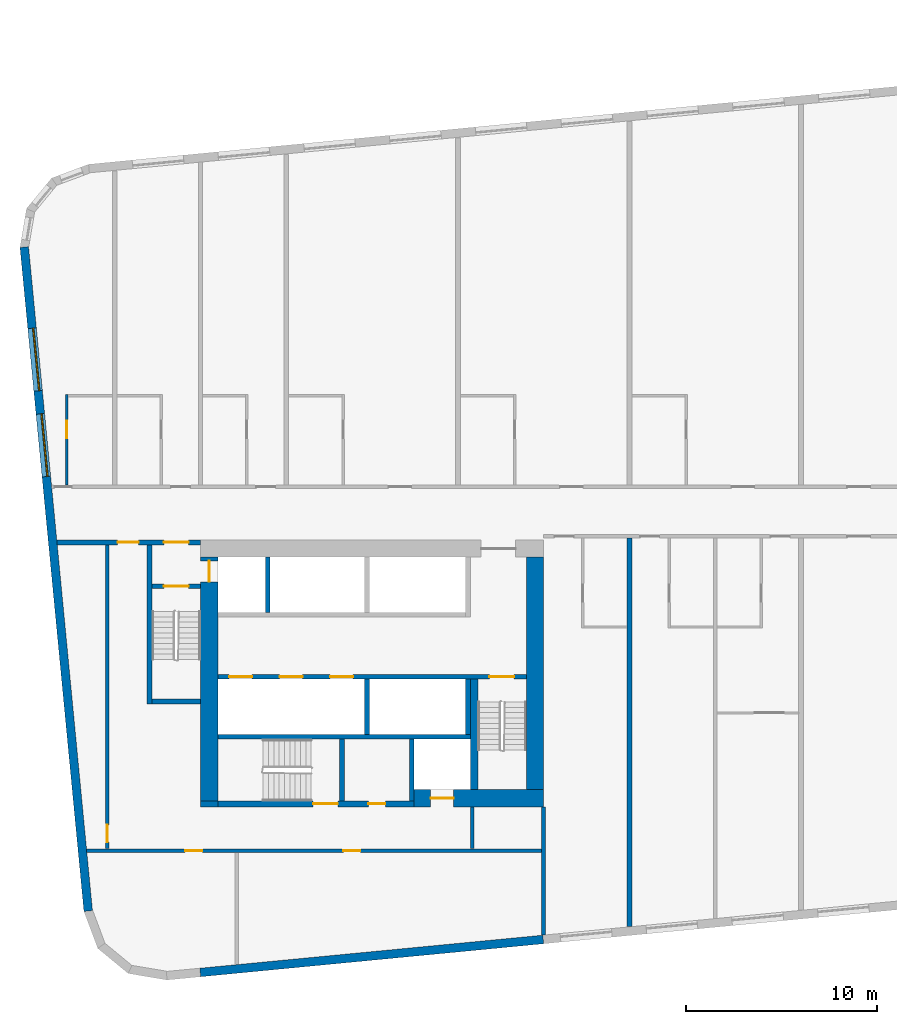
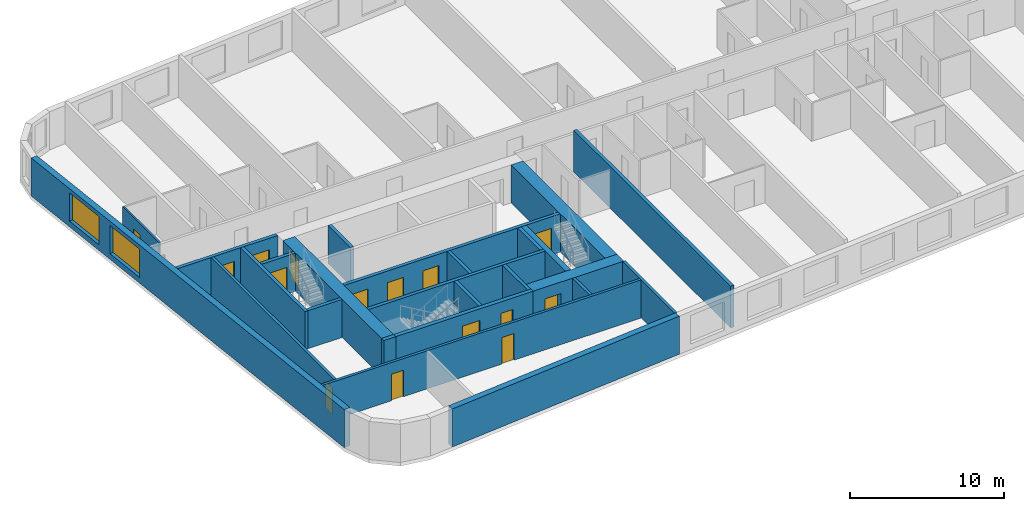
# One storey, part 2 of 12: 25 walls, 15 doors, 2 windows, 17 openings.
"""IFC4 building model written with IfcOpenShell, lengths in metres."""

from ifc_helpers import new_model, si_unit, direction, frame, frame_2d, origin, place, context, subcontext, project, spatial, rectangle, extrude, material, layer, layer_set, type_object, element, fill, save


model = new_model("IFC4")

# Units and contexts
model_context = context("Model", 3, precision=1e-05, world=origin(), true_north=direction((0.0, 1.0)))
body_context = subcontext(model_context, "Body", "Model", "MODEL_VIEW")
ifc_project = project(units=[si_unit("LENGTHUNIT", "METRE"), si_unit("AREAUNIT", "SQUARE_METRE"), si_unit("VOLUMEUNIT", "CUBIC_METRE"), si_unit("PLANEANGLEUNIT", "RADIAN"), si_unit("MASSUNIT", "GRAM", prefix="KILO")], contexts=[model_context])

# Site, building, storey
site_placement = place(None, origin())
site = spatial("IfcSite", under=ifc_project, at=site_placement, CompositionType="ELEMENT")
building_placement = place(site_placement, origin())
building = spatial("IfcBuilding", under=site, at=building_placement, Name="Kajstack Hotel Tower", CompositionType="ELEMENT")
storey_placement = place(building_placement, frame((0.0, 0.0, 117.39990234375)))
storey = spatial("IfcBuildingStorey", under=building, at=storey_placement, Name="L25", CompositionType="ELEMENT", Elevation=117.39990234375)

# Wall, opening, door
ifc_material_1 = material(Name="Concrete C60/75", Category="concrete")
ifc_layer_1 = layer(ifc_material_1, 0.89990234375)
ifc_layer_set_1 = layer_set([ifc_layer_1], Name="Core wall 900")
wall_type_1 = type_object("IfcWallType", Name="Core wall 900", PredefinedType="SHEAR", material=ifc_layer_set_1)
wall_1_placement = place(storey_placement, frame((-20.300048828125, -15.050048828125, 0.0), z_axis=(0.0, 0.0, 1.0), x_axis=(1.0, 0.0, 0.0)))
wall_1 = element("IfcWall", 1, at=wall_1_placement, inside=storey, type_object=wall_type_1, Name="Core wall W RS", PredefinedType="SHEAR", context=body_context, shape_type="SweptSolid", body=[
    extrude(rectangle(XDim=6.800048828125, YDim=0.89990234375, at=frame_2d((3.39990234375, 0.0))), origin(), (0.0, 0.0, 1.0), 3.02001953125),
])
opening_1_placement = place(wall_1_placement, frame((0.875, 0.0, 0.0)))
opening_1 = element("IfcOpeningElement", 2, at=opening_1_placement, cuts=wall_1, Name="Opening LD-SV1", PredefinedType="OPENING", context=body_context, shape_type="SweptSolid", body=[
    extrude(rectangle(XDim=1.199951171875, YDim=2.10009765625, at=frame_2d((0.60009765625, 1.050048828125))), frame((0.0, 0.4599609375, 0.0), z_axis=(0.0, -1.0, 0.0), x_axis=(1.0, 0.0, 0.0)), (0.0, 0.0, 1.0), 0.919921875),
])
ifc_material_2 = material(Name="Stainless steel", Category="steel")
door_type_1 = type_object("IfcDoorType", Name="Lift landing door 1200", OperationType="SLIDING_TO_LEFT", PredefinedType="DOOR", material=ifc_material_2)
door_1_placement = place(opening_1_placement, origin())
door_1 = element("IfcDoor", 3, at=door_1_placement, inside=storey, type_object=door_type_1, Name="Landing door SV1", OperationType="SLIDING_TO_LEFT", OverallHeight=2.10009765625, OverallWidth=1.199951171875, PredefinedType="DOOR", context=body_context, shape_type="SweptSolid", body=[
    extrude(rectangle(XDim=1.199951171875, YDim=2.10009765625, at=frame_2d((0.60009765625, 1.050048828125))), frame((0.0, 0.02490234375, 0.0), z_axis=(0.0, -1.0, 0.0), x_axis=(1.0, 0.0, 0.0)), (0.0, 0.0, 1.0), 0.050048828125),
])
fill(opening_1, door_1)

# Wall
wall_2_placement = place(storey_placement, frame((-31.5, -15.35009765625, 0.0), z_axis=(0.0, 0.0, 1.0), x_axis=(1.0, 0.0, 0.0)))
element("IfcWall", 4, at=wall_2_placement, inside=storey, type_object=wall_type_1, Name="Core wall W RSW", PredefinedType="SHEAR", context=body_context, shape_type="SweptSolid", body=[
    extrude(rectangle(XDim=0.89990234375, YDim=0.300048828125, at=frame_2d((0.449951171875, 0.0))), origin(), (0.0, 0.0, 1.0), 3.02001953125),
])

# Wall, opening, door
wall_3_placement = place(storey_placement, frame((-31.050048828125, -15.199951171875, 0.0), z_axis=(0.0, 0.0, 1.0), x_axis=(0.0, 1.0, 0.0)))
wall_3 = element("IfcWall", 5, at=wall_3_placement, inside=storey, type_object=wall_type_1, Name="Core wall W RW", PredefinedType="SHEAR", context=body_context, shape_type="SweptSolid", body=[
    extrude(rectangle(XDim=12.800048828125, YDim=0.89990234375, at=frame_2d((6.39990234375, 0.0))), origin(), (0.0, 0.0, 1.0), 3.02001953125),
])
opening_2_placement = place(wall_3_placement, frame((11.5, 0.0, 0.0)))
opening_2 = element("IfcOpeningElement", 6, at=opening_2_placement, cuts=wall_3, Name="Opening LD-FF1", PredefinedType="OPENING", context=body_context, shape_type="SweptSolid", body=[
    extrude(rectangle(XDim=1.10009765625, YDim=2.10009765625, at=frame_2d((0.550048828125, 1.050048828125))), frame((0.0, 0.4599609375, 0.0), z_axis=(0.0, -1.0, 0.0), x_axis=(1.0, 0.0, 0.0)), (0.0, 0.0, 1.0), 0.919921875),
])
door_type_2 = type_object("IfcDoorType", Name="Fire-fighting lift landing door 1100", OperationType="SLIDING_TO_LEFT", PredefinedType="DOOR", material=ifc_material_2)
door_2_placement = place(opening_2_placement, origin())
door_2 = element("IfcDoor", 7, at=door_2_placement, inside=storey, type_object=door_type_2, Name="Landing door FF1", OperationType="SLIDING_TO_RIGHT", OverallHeight=2.10009765625, OverallWidth=1.10009765625, PredefinedType="DOOR", context=body_context, shape_type="SweptSolid", body=[
    extrude(rectangle(XDim=1.10009765625, YDim=2.10009765625, at=frame_2d((0.550048828125, 1.050048828125))), frame((0.0, 0.02490234375, 0.0), z_axis=(0.0, -1.0, 0.0), x_axis=(1.0, 0.0, 0.0)), (0.0, 0.0, 1.0), 0.050048828125),
])
fill(opening_2, door_2)

# Walls
wall_4_placement = place(storey_placement, frame((-13.949951171875, -14.60009765625, 0.0), z_axis=(0.0, 0.0, 1.0), x_axis=(0.0, 1.0, 0.0)))
element("IfcWall", 8, at=wall_4_placement, inside=storey, type_object=wall_type_1, Name="Core wall W RE", PredefinedType="SHEAR", context=body_context, shape_type="SweptSolid", body=[
    extrude(rectangle(XDim=12.2001953125, YDim=0.89990234375, at=frame_2d((6.10009765625, 0.0))), origin(), (0.0, 0.0, 1.0), 3.02001953125),
])
ifc_material_3 = material(Name="Twin-frame gypsum board on steel studs, mineral wool", Category="steel")
ifc_layer_2 = layer(ifc_material_3, 0.199951171875)
ifc_layer_set_2 = layer_set([ifc_layer_2], Name="Demising wall 200")
wall_type_2 = type_object("IfcWallType", Name="Demising wall 200", PredefinedType="PARTITIONING", material=ifc_layer_set_2)
wall_5_placement = place(storey_placement, frame((-13.5, -22.23193359375, 0.0), z_axis=(0.0, 0.0, 1.0), x_axis=(0.0, 1.0, 0.0)))
element("IfcWall", 9, at=wall_5_placement, inside=storey, type_object=wall_type_2, Name="G-wall-L25-002", PredefinedType="PARTITIONING", context=body_context, shape_type="SweptSolid", body=[
    extrude(rectangle(XDim=6.73193359375, YDim=0.199951171875, at=frame_2d((3.365966796875, 0.0))), origin(), (0.0, 0.0, 1.0), 3.02001953125),
])
ifc_material_4 = material(Name="Concrete C40/50", Category="concrete")
ifc_layer_3 = layer(ifc_material_4, 0.449951171875)
ifc_layer_set_3 = layer_set([ifc_layer_3], Name="EW-CORE")
wall_type_3 = type_object("IfcWallType", Name="EW-CORE", PredefinedType="SOLIDWALL", material=ifc_layer_set_3)
wall_6_placement = place(storey_placement, frame((-31.521484375, -24.193603515625, 0.0), z_axis=(0.0, 0.0, 1.0), x_axis=(0.995396454615, 0.095843091245, 0.0)))
element("IfcWall", 10, at=wall_6_placement, inside=storey, type_object=wall_type_3, Name="E-wall-L25-04-01", PredefinedType="SOLIDWALL", context=body_context, shape_type="SweptSolid", body=[
    extrude(rectangle(XDim=18.083251953125, YDim=0.449951171875, at=frame_2d((9.04150390625, 0.0))), origin(), (0.0, 0.0, 1.0), 3.02001953125),
])

# Wall, openings, windows
ifc_material_5 = material(Name="Terracotta-faced brick masonry", Category="masonry")
ifc_layer_4 = layer(ifc_material_5, 0.449951171875)
ifc_layer_set_4 = layer_set([ifc_layer_4], Name="EW-TERRA")
wall_type_4 = type_object("IfcWallType", Name="EW-TERRA", PredefinedType="SOLIDWALL", material=ifc_layer_set_4)
wall_7_placement = place(storey_placement, frame((-40.7529296875, 13.87158203125, 0.0), z_axis=(0.0, 0.0, 1.0), x_axis=(0.095843327381, -0.995396431878, 0.0)))
wall_7 = element("IfcWall", 11, at=wall_7_placement, inside=storey, type_object=wall_type_4, Name="E-wall-L25-00-00", PredefinedType="SOLIDWALL", context=body_context, shape_type="SweptSolid", body=[
    extrude(rectangle(XDim=34.999755859375, YDim=0.449951171875, at=frame_2d((17.5, 0.0))), origin(), (0.0, 0.0, 1.0), 3.02001953125),
])
opening_3_placement = place(wall_7_placement, frame((4.27734375, 0.0, 0.449951171875)))
opening_3 = element("IfcOpeningElement", 12, at=opening_3_placement, cuts=wall_7, Name="Opening W2", PredefinedType="OPENING", context=body_context, shape_type="SweptSolid", body=[
    extrude(rectangle(XDim=3.300048828125, YDim=2.25, at=frame_2d((1.64990234375, 1.125))), frame((0.0, 0.23486328125, 0.0), z_axis=(0.0, -1.0, 0.0), x_axis=(1.0, 0.0, 0.0)), (0.0, 0.0, 1.0), 0.469970703125),
])
opening_4_placement = place(wall_7_placement, frame((8.798095703125, 0.0, 0.449951171875)))
opening_4 = element("IfcOpeningElement", 13, at=opening_4_placement, cuts=wall_7, Name="Opening W2", PredefinedType="OPENING", context=body_context, shape_type="SweptSolid", body=[
    extrude(rectangle(XDim=3.300048828125, YDim=2.25, at=frame_2d((1.64990234375, 1.125))), frame((0.0, 0.23486328125, 0.0), z_axis=(0.0, -1.0, 0.0), x_axis=(1.0, 0.0, 0.0)), (0.0, 0.0, 1.0), 0.469970703125),
])
ifc_material_6 = material(Name="Timber-aluminium window, triple glazed", Category="wood")
window_type = type_object("IfcWindowType", Name="WG2", PartitioningType="SINGLE_PANEL", PredefinedType="WINDOW", material=ifc_material_6)
window_1_placement = place(opening_3_placement, origin())
window_1 = element("IfcWindow", 14, at=window_1_placement, inside=storey, type_object=window_type, Name="Window W2 L25-00", OverallHeight=2.25, OverallWidth=3.300048828125, PartitioningType="SINGLE_PANEL", PredefinedType="WINDOW", context=body_context, shape_type="SweptSolid", body=[
    extrude(rectangle(XDim=3.300048828125, YDim=2.25, at=frame_2d((1.64990234375, 1.125))), frame((0.0, 0.090087890625, 0.0), z_axis=(0.0, -1.0, 0.0), x_axis=(1.0, 0.0, 0.0)), (0.0, 0.0, 1.0), 0.06005859375),
])
fill(opening_3, window_1)
window_2_placement = place(opening_4_placement, origin())
window_2 = element("IfcWindow", 15, at=window_2_placement, inside=storey, type_object=window_type, Name="Window W2 L25-00", OverallHeight=2.25, OverallWidth=3.300048828125, PartitioningType="SINGLE_PANEL", PredefinedType="WINDOW", context=body_context, shape_type="SweptSolid", body=[
    extrude(rectangle(XDim=3.300048828125, YDim=2.25, at=frame_2d((1.64990234375, 1.125))), frame((0.0, 0.090087890625, 0.0), z_axis=(0.0, -1.0, 0.0), x_axis=(1.0, 0.0, 0.0)), (0.0, 0.0, 1.0), 0.06005859375),
])
fill(opening_4, window_2)

# Wall, opening, door
ifc_material_7 = material(Name="Gypsum board and tiled backer on steel studs", Category="steel")
ifc_layer_5 = layer(ifc_material_7, 0.125)
ifc_layer_set_5 = layer_set([ifc_layer_5], Name="En-suite wall 125")
wall_type_5 = type_object("IfcWallType", Name="En-suite wall 125", PredefinedType="PARTITIONING", material=ifc_layer_set_5)
wall_8_placement = place(storey_placement, frame((-38.51904296875, 1.39990234375, 0.0), z_axis=(0.0, 0.0, 1.0), x_axis=(0.0, 1.0, 0.0)))
wall_8 = element("IfcWall", 16, at=wall_8_placement, inside=storey, type_object=wall_type_5, Name="G-wall-L25-004", PredefinedType="PARTITIONING", context=body_context, shape_type="SweptSolid", body=[
    extrude(rectangle(XDim=4.72509765625, YDim=0.125, at=frame_2d((2.362548828125, 0.0))), origin(), (0.0, 0.0, 1.0), 3.02001953125),
])
opening_5_placement = place(wall_8_placement, frame((2.449951171875, 0.0, 0.0)))
opening_5 = element("IfcOpeningElement", 17, at=opening_5_placement, cuts=wall_8, Name="Opening 25002", PredefinedType="OPENING", context=body_context, shape_type="SweptSolid", body=[
    extrude(rectangle(XDim=0.89990234375, YDim=2.10009765625, at=frame_2d((0.449951171875, 1.050048828125))), frame((0.0, 0.072509765625, 0.0), z_axis=(0.0, -1.0, 0.0), x_axis=(1.0, 0.0, 0.0)), (0.0, 0.0, 1.0), 0.14501953125),
])
ifc_material_8 = material(Name="Painted timber door leaf", Category="wood")
door_type_3 = type_object("IfcDoorType", Name="Room door 900", OperationType="SINGLE_SWING_LEFT", PredefinedType="DOOR", material=ifc_material_8)
door_3_placement = place(opening_5_placement, origin())
door_3 = element("IfcDoor", 18, at=door_3_placement, inside=storey, type_object=door_type_3, Name="G-door-L25-02", OperationType="SINGLE_SWING_LEFT", OverallHeight=2.10009765625, OverallWidth=0.89990234375, PredefinedType="DOOR", context=body_context, shape_type="SweptSolid", body=[
    extrude(rectangle(XDim=0.89990234375, YDim=2.10009765625, at=frame_2d((0.449951171875, 1.050048828125))), frame((0.0, 0.02490234375, 0.0), z_axis=(0.0, -1.0, 0.0), x_axis=(1.0, 0.0, 0.0)), (0.0, 0.0, 1.0), 0.050048828125),
])
fill(opening_5, door_3)

# Walls
ifc_material_9 = material(Name="Concrete C50/60", Category="concrete")
ifc_layer_6 = layer(ifc_material_9, 0.300048828125)
ifc_layer_set_6 = layer_set([ifc_layer_6], Name="Hoistway divider wall 300")
wall_type_6 = type_object("IfcWallType", Name="Hoistway divider wall 300", PredefinedType="SHEAR", material=ifc_layer_set_6)
wall_9_placement = place(storey_placement, frame((-22.77490234375, -11.699951171875, 0.0), z_axis=(0.0, 0.0, 1.0), x_axis=(0.0, 1.0, 0.0)))
element("IfcWall", 19, at=wall_9_placement, inside=storey, type_object=wall_type_6, Name="Core wall W BP2", PredefinedType="SHEAR", context=body_context, shape_type="SweptSolid", body=[
    extrude(rectangle(XDim=2.89990234375, YDim=0.25, at=frame_2d((1.449951171875, 0.0))), origin(), (0.0, 0.0, 1.0), 3.02001953125),
])
ifc_material_10 = material(Name="Concrete C55/67", Category="concrete")
ifc_layer_7 = layer(ifc_material_10, 0.25)
ifc_layer_set_7 = layer_set([ifc_layer_7], Name="RC cross wall 250 C55/67")
wall_type_7 = type_object("IfcWallType", Name="RC cross wall 250 C55/67", PredefinedType="SHEAR", material=ifc_layer_set_7)
wall_10_placement = place(storey_placement, frame((-9.0, -21.777099609375, 0.0), z_axis=(0.0, 0.0, 1.0), x_axis=(0.0, 1.0, 0.0)))
element("IfcWall", 20, at=wall_10_placement, inside=storey, type_object=wall_type_7, Name="S-wall-L25-04", PredefinedType="SHEAR", context=body_context, shape_type="SweptSolid", body=[
    extrude(rectangle(XDim=20.377197265625, YDim=0.25, at=frame_2d((10.1884765625, 0.0))), origin(), (0.0, 0.0, 1.0), 3.300048828125),
])

# Wall, openings, doors
ifc_material_11 = material(Name="Gypsum board on steel studs, mineral wool", Category="steel")
ifc_layer_8 = layer(ifc_material_11, 0.199951171875)
ifc_layer_set_8 = layer_set([ifc_layer_8], Name="Service partition 200")
wall_type_8 = type_object("IfcWallType", Name="Service partition 200", PredefinedType="PARTITIONING", material=ifc_layer_set_8)
wall_11_placement = place(storey_placement, frame((-39.034912109375, -1.625, 0.0), z_axis=(0.0, 0.0, 1.0), x_axis=(1.0, 0.0, 0.0)))
wall_11 = element("IfcWall", 21, at=wall_11_placement, inside=storey, type_object=wall_type_8, Name="Partition W SN", PredefinedType="PARTITIONING", context=body_context, shape_type="SweptSolid", body=[
    extrude(rectangle(XDim=7.534912109375, YDim=0.25, at=frame_2d((3.767578125, 0.0))), origin(), (0.0, 0.0, 1.0), 3.02001953125),
])
opening_6_placement = place(wall_11_placement, frame((5.60986328125, 0.0, 0.0)))
opening_6 = element("IfcOpeningElement", 22, at=opening_6_placement, cuts=wall_11, Name="Opening 25W07", PredefinedType="OPENING", context=body_context, shape_type="SweptSolid", body=[
    extrude(rectangle(XDim=1.300048828125, YDim=2.10009765625, at=frame_2d((0.64990234375, 1.050048828125))), frame((0.0, 0.135009765625, 0.0), z_axis=(0.0, -1.0, 0.0), x_axis=(1.0, 0.0, 0.0)), (0.0, 0.0, 1.0), 0.27001953125),
])
opening_7_placement = place(wall_11_placement, frame((3.184814453125, 0.0, 0.0)))
opening_7 = element("IfcOpeningElement", 23, at=opening_7_placement, cuts=wall_11, Name="Opening 25W09", PredefinedType="OPENING", context=body_context, shape_type="SweptSolid", body=[
    extrude(rectangle(XDim=1.10009765625, YDim=2.10009765625, at=frame_2d((0.550048828125, 1.050048828125))), frame((0.0, 0.135009765625, 0.0), z_axis=(0.0, -1.0, 0.0), x_axis=(1.0, 0.0, 0.0)), (0.0, 0.0, 1.0), 0.27001953125),
])
ifc_material_12 = material(Name="Steel leaf, fire-rated", Category="steel")
door_type_4 = type_object("IfcDoorType", Name="Fire lobby door 1300", OperationType="SINGLE_SWING_LEFT", PredefinedType="DOOR", material=ifc_material_12)
door_4_placement = place(opening_6_placement, origin())
door_4 = element("IfcDoor", 24, at=door_4_placement, inside=storey, type_object=door_type_4, Name="Door 25W07", OperationType="SINGLE_SWING_RIGHT", OverallHeight=2.10009765625, OverallWidth=1.300048828125, PredefinedType="DOOR", context=body_context, shape_type="SweptSolid", body=[
    extrude(rectangle(XDim=1.300048828125, YDim=2.10009765625, at=frame_2d((0.64990234375, 1.050048828125))), frame((0.0, 0.02490234375, 0.0), z_axis=(0.0, -1.0, 0.0), x_axis=(1.0, 0.0, 0.0)), (0.0, 0.0, 1.0), 0.050048828125),
])
fill(opening_6, door_4)
ifc_material_13 = material(Name="Timber leaf, fire-rated", Category="wood")
door_type_5 = type_object("IfcDoorType", Name="Service corridor door 1100", OperationType="SINGLE_SWING_LEFT", PredefinedType="DOOR", material=ifc_material_13)
door_5_placement = place(opening_7_placement, origin())
door_5 = element("IfcDoor", 25, at=door_5_placement, inside=storey, type_object=door_type_5, Name="Door 25W09", OperationType="SINGLE_SWING_RIGHT", OverallHeight=2.10009765625, OverallWidth=1.10009765625, PredefinedType="DOOR", context=body_context, shape_type="SweptSolid", body=[
    extrude(rectangle(XDim=1.10009765625, YDim=2.10009765625, at=frame_2d((0.550048828125, 1.050048828125))), frame((0.0, 0.02490234375, 0.0), z_axis=(0.0, -1.0, 0.0), x_axis=(1.0, 0.0, 0.0)), (0.0, 0.0, 1.0), 0.050048828125),
])
fill(opening_7, door_5)

# Wall
wall_12_placement = place(storey_placement, frame((-17.25, -17.699951171875, 0.0), z_axis=(0.0, 0.0, 1.0), x_axis=(0.0, 1.0, 0.0)))
element("IfcWall", 26, at=wall_12_placement, inside=storey, type_object=wall_type_8, Name="Partition W SCE", PredefinedType="PARTITIONING", context=body_context, shape_type="SweptSolid", body=[
    extrude(rectangle(XDim=2.199951171875, YDim=0.199951171875, at=frame_2d((1.10009765625, 0.0))), origin(), (0.0, 0.0, 1.0), 3.02001953125),
])

# Wall, opening, door
wall_13_placement = place(storey_placement, frame((-36.39990234375, -17.699951171875, 0.0), z_axis=(0.0, 0.0, 1.0), x_axis=(0.0, 1.0, 0.0)))
wall_13 = element("IfcWall", 27, at=wall_13_placement, inside=storey, type_object=wall_type_8, Name="Partition W WRE", PredefinedType="PARTITIONING", context=body_context, shape_type="SweptSolid", body=[
    extrude(rectangle(XDim=15.949951171875, YDim=0.199951171875, at=frame_2d((7.97509765625, 0.0))), origin(), (0.0, 0.0, 1.0), 3.02001953125),
])
opening_8_placement = place(wall_13_placement, frame((0.35009765625, 0.0, 0.0)))
opening_8 = element("IfcOpeningElement", 28, at=opening_8_placement, cuts=wall_13, Name="Opening 25W15", PredefinedType="OPENING", context=body_context, shape_type="SweptSolid", body=[
    extrude(rectangle(XDim=0.89990234375, YDim=2.10009765625, at=frame_2d((0.449951171875, 1.050048828125))), frame((0.0, 0.10986328125, 0.0), z_axis=(0.0, -1.0, 0.0), x_axis=(1.0, 0.0, 0.0)), (0.0, 0.0, 1.0), 0.219970703125),
])
door_type_6 = type_object("IfcDoorType", Name="Service door 900", OperationType="SINGLE_SWING_LEFT", PredefinedType="DOOR", material=ifc_material_13)
door_6_placement = place(opening_8_placement, origin())
door_6 = element("IfcDoor", 29, at=door_6_placement, inside=storey, type_object=door_type_6, Name="Door 25W15", OperationType="SINGLE_SWING_LEFT", OverallHeight=2.10009765625, OverallWidth=0.89990234375, PredefinedType="DOOR", context=body_context, shape_type="SweptSolid", body=[
    extrude(rectangle(XDim=0.89990234375, YDim=2.10009765625, at=frame_2d((0.449951171875, 1.050048828125))), frame((0.0, 0.02490234375, 0.0), z_axis=(0.0, -1.0, 0.0), x_axis=(1.0, 0.0, 0.0)), (0.0, 0.0, 1.0), 0.050048828125),
])
fill(opening_8, door_6)

# Wall, openings, doors
wall_14_placement = place(storey_placement, frame((-37.477294921875, -17.800048828125, 0.0), z_axis=(0.0, 0.0, 1.0), x_axis=(1.0, 0.0, 0.0)))
wall_14 = element("IfcWall", 30, at=wall_14_placement, inside=storey, type_object=wall_type_8, Name="Partition W SLN", PredefinedType="PARTITIONING", context=body_context, shape_type="SweptSolid", body=[
    extrude(rectangle(XDim=23.877197265625, YDim=0.199951171875, at=frame_2d((11.9384765625, 0.0))), origin(), (0.0, 0.0, 1.0), 3.02001953125),
])
opening_9_placement = place(wall_14_placement, frame((5.164794921875, 0.0, 0.0)))
opening_9 = element("IfcOpeningElement", 31, at=opening_9_placement, cuts=wall_14, Name="Opening 25W13", PredefinedType="OPENING", context=body_context, shape_type="SweptSolid", body=[
    extrude(rectangle(XDim=0.89990234375, YDim=2.10009765625, at=frame_2d((0.449951171875, 1.050048828125))), frame((0.0, 0.10986328125, 0.0), z_axis=(0.0, -1.0, 0.0), x_axis=(1.0, 0.0, 0.0)), (0.0, 0.0, 1.0), 0.219970703125),
])
opening_10_placement = place(wall_14_placement, frame((13.46484375, 0.0, 0.0)))
opening_10 = element("IfcOpeningElement", 32, at=opening_10_placement, cuts=wall_14, Name="Opening 25W14", PredefinedType="OPENING", context=body_context, shape_type="SweptSolid", body=[
    extrude(rectangle(XDim=0.89990234375, YDim=2.10009765625, at=frame_2d((0.449951171875, 1.050048828125))), frame((0.0, 0.10986328125, 0.0), z_axis=(0.0, -1.0, 0.0), x_axis=(1.0, 0.0, 0.0)), (0.0, 0.0, 1.0), 0.219970703125),
])
door_7_placement = place(opening_9_placement, origin())
door_7 = element("IfcDoor", 33, at=door_7_placement, inside=storey, type_object=door_type_6, Name="Door 25W13", OperationType="SINGLE_SWING_RIGHT", OverallHeight=2.10009765625, OverallWidth=0.89990234375, PredefinedType="DOOR", context=body_context, shape_type="SweptSolid", body=[
    extrude(rectangle(XDim=0.89990234375, YDim=2.10009765625, at=frame_2d((0.449951171875, 1.050048828125))), frame((0.0, 0.02490234375, 0.0), z_axis=(0.0, -1.0, 0.0), x_axis=(1.0, 0.0, 0.0)), (0.0, 0.0, 1.0), 0.050048828125),
])
fill(opening_9, door_7)
door_8_placement = place(opening_10_placement, origin())
door_8 = element("IfcDoor", 34, at=door_8_placement, inside=storey, type_object=door_type_6, Name="Door 25W14", OperationType="SINGLE_SWING_RIGHT", OverallHeight=2.10009765625, OverallWidth=0.89990234375, PredefinedType="DOOR", context=body_context, shape_type="SweptSolid", body=[
    extrude(rectangle(XDim=0.89990234375, YDim=2.10009765625, at=frame_2d((0.449951171875, 1.050048828125))), frame((0.0, 0.02490234375, 0.0), z_axis=(0.0, -1.0, 0.0), x_axis=(1.0, 0.0, 0.0)), (0.0, 0.0, 1.0), 0.050048828125),
])
fill(opening_10, door_8)

ifc_layer_9 = layer(ifc_material_9, 0.25)
ifc_layer_set_9 = layer_set([ifc_layer_9], Name="Shaft wall 250")
wall_type_9 = type_object("IfcWallType", Name="Shaft wall 250", PredefinedType="SHEAR", material=ifc_layer_set_9)
wall_15_placement = place(storey_placement, frame((-30.60009765625, -15.35009765625, 0.0), z_axis=(0.0, 0.0, 1.0), x_axis=(1.0, 0.0, 0.0)))
wall_15 = element("IfcWall", 35, at=wall_15_placement, inside=storey, type_object=wall_type_9, Name="Core wall W RSS", PredefinedType="SHEAR", context=body_context, shape_type="SweptSolid", body=[
    extrude(rectangle(XDim=10.300048828125, YDim=0.300048828125, at=frame_2d((5.14990234375, 0.0))), origin(), (0.0, 0.0, 1.0), 3.02001953125),
])
opening_11_placement = place(wall_15_placement, frame((5.0, 0.0, 0.0)))
opening_11 = element("IfcOpeningElement", 36, at=opening_11_placement, cuts=wall_15, Name="Opening 25W11", PredefinedType="OPENING", context=body_context, shape_type="SweptSolid", body=[
    extrude(rectangle(XDim=1.300048828125, YDim=2.10009765625, at=frame_2d((0.64990234375, 1.050048828125))), frame((0.0, 0.159912109375, 0.0), z_axis=(0.0, -1.0, 0.0), x_axis=(1.0, 0.0, 0.0)), (0.0, 0.0, 1.0), 0.320068359375),
])
opening_12_placement = place(wall_15_placement, frame((7.89990234375, 0.0, 0.0)))
opening_12 = element("IfcOpeningElement", 37, at=opening_12_placement, cuts=wall_15, Name="Opening 25W12", PredefinedType="OPENING", context=body_context, shape_type="SweptSolid", body=[
    extrude(rectangle(XDim=0.89990234375, YDim=2.10009765625, at=frame_2d((0.449951171875, 1.050048828125))), frame((0.0, 0.159912109375, 0.0), z_axis=(0.0, -1.0, 0.0), x_axis=(1.0, 0.0, 0.0)), (0.0, 0.0, 1.0), 0.320068359375),
])
door_9_placement = place(opening_12_placement, origin())
door_9 = element("IfcDoor", 38, at=door_9_placement, inside=storey, type_object=door_type_6, Name="Door 25W12", OperationType="SINGLE_SWING_LEFT", OverallHeight=2.10009765625, OverallWidth=0.89990234375, PredefinedType="DOOR", context=body_context, shape_type="SweptSolid", body=[
    extrude(rectangle(XDim=0.89990234375, YDim=2.10009765625, at=frame_2d((0.449951171875, 1.050048828125))), frame((0.0, 0.02490234375, 0.0), z_axis=(0.0, -1.0, 0.0), x_axis=(1.0, 0.0, 0.0)), (0.0, 0.0, 1.0), 0.050048828125),
])
fill(opening_12, door_9)
door_type_7 = type_object("IfcDoorType", Name="Stair door 1300", OperationType="SINGLE_SWING_LEFT", PredefinedType="DOOR", material=ifc_material_12)
door_10_placement = place(opening_11_placement, origin())
door_10 = element("IfcDoor", 39, at=door_10_placement, inside=storey, type_object=door_type_7, Name="Door 25W11", OperationType="SINGLE_SWING_RIGHT", OverallHeight=2.10009765625, OverallWidth=1.300048828125, PredefinedType="DOOR", context=body_context, shape_type="SweptSolid", body=[
    extrude(rectangle(XDim=1.300048828125, YDim=2.10009765625, at=frame_2d((0.64990234375, 1.050048828125))), frame((0.0, 0.02490234375, 0.0), z_axis=(0.0, -1.0, 0.0), x_axis=(1.0, 0.0, 0.0)), (0.0, 0.0, 1.0), 0.050048828125),
])
fill(opening_11, door_10)

# Wall
wall_16_placement = place(storey_placement, frame((-27.97509765625, -5.300048828125, 0.0), z_axis=(0.0, 0.0, 1.0), x_axis=(0.0, 1.0, 0.0)))
element("IfcWall", 40, at=wall_16_placement, inside=storey, type_object=wall_type_9, Name="Core wall W AP0", PredefinedType="SHEAR", context=body_context, shape_type="SweptSolid", body=[
    extrude(rectangle(XDim=2.900146484375, YDim=0.25, at=frame_2d((1.4501953125, 0.0))), origin(), (0.0, 0.0, 1.0), 3.02001953125),
])

# Wall, openings, doors
wall_17_placement = place(storey_placement, frame((-30.60009765625, -8.675048828125, 0.0), z_axis=(0.0, 0.0, 1.0), x_axis=(1.0, 0.0, 0.0)))
wall_17 = element("IfcWall", 41, at=wall_17_placement, inside=storey, type_object=wall_type_9, Name="Core wall W FB", PredefinedType="SHEAR", context=body_context, shape_type="SweptSolid", body=[
    extrude(rectangle(XDim=16.2001953125, YDim=0.25, at=frame_2d((8.10009765625, 0.0))), origin(), (0.0, 0.0, 1.0), 3.02001953125),
])
opening_13_placement = place(wall_17_placement, frame((0.60009765625, 0.0, 0.0)))
opening_13 = element("IfcOpeningElement", 42, at=opening_13_placement, cuts=wall_17, Name="Opening LD-LR1", PredefinedType="OPENING", context=body_context, shape_type="SweptSolid", body=[
    extrude(rectangle(XDim=1.199951171875, YDim=2.10009765625, at=frame_2d((0.60009765625, 1.050048828125))), frame((0.0, 0.135009765625, 0.0), z_axis=(0.0, -1.0, 0.0), x_axis=(1.0, 0.0, 0.0)), (0.0, 0.0, 1.0), 0.27001953125),
])
opening_14_placement = place(wall_17_placement, frame((3.25, 0.0, 0.0)))
opening_14 = element("IfcOpeningElement", 43, at=opening_14_placement, cuts=wall_17, Name="Opening LD-LR2", PredefinedType="OPENING", context=body_context, shape_type="SweptSolid", body=[
    extrude(rectangle(XDim=1.199951171875, YDim=2.10009765625, at=frame_2d((0.60009765625, 1.050048828125))), frame((0.0, 0.135009765625, 0.0), z_axis=(0.0, -1.0, 0.0), x_axis=(1.0, 0.0, 0.0)), (0.0, 0.0, 1.0), 0.27001953125),
])
opening_15_placement = place(wall_17_placement, frame((5.89990234375, 0.0, 0.0)))
opening_15 = element("IfcOpeningElement", 44, at=opening_15_placement, cuts=wall_17, Name="Opening LD-LR3", PredefinedType="OPENING", context=body_context, shape_type="SweptSolid", body=[
    extrude(rectangle(XDim=1.199951171875, YDim=2.10009765625, at=frame_2d((0.60009765625, 1.050048828125))), frame((0.0, 0.135009765625, 0.0), z_axis=(0.0, -1.0, 0.0), x_axis=(1.0, 0.0, 0.0)), (0.0, 0.0, 1.0), 0.27001953125),
])
opening_16_placement = place(wall_17_placement, frame((14.25, 0.0, 0.0)))
opening_16 = element("IfcOpeningElement", 45, at=opening_16_placement, cuts=wall_17, Name="Opening 25W10", PredefinedType="OPENING", context=body_context, shape_type="SweptSolid", body=[
    extrude(rectangle(XDim=1.300048828125, YDim=2.10009765625, at=frame_2d((0.64990234375, 1.050048828125))), frame((0.0, 0.135009765625, 0.0), z_axis=(0.0, -1.0, 0.0), x_axis=(1.0, 0.0, 0.0)), (0.0, 0.0, 1.0), 0.27001953125),
])
door_11_placement = place(opening_13_placement, origin())
door_11 = element("IfcDoor", 46, at=door_11_placement, inside=storey, type_object=door_type_1, Name="Landing door LR1", OperationType="SLIDING_TO_LEFT", OverallHeight=2.10009765625, OverallWidth=1.199951171875, PredefinedType="DOOR", context=body_context, shape_type="SweptSolid", body=[
    extrude(rectangle(XDim=1.199951171875, YDim=2.10009765625, at=frame_2d((0.60009765625, 1.050048828125))), frame((0.0, 0.02490234375, 0.0), z_axis=(0.0, -1.0, 0.0), x_axis=(1.0, 0.0, 0.0)), (0.0, 0.0, 1.0), 0.050048828125),
])
fill(opening_13, door_11)
door_12_placement = place(opening_14_placement, origin())
door_12 = element("IfcDoor", 47, at=door_12_placement, inside=storey, type_object=door_type_1, Name="Landing door LR2", OperationType="SLIDING_TO_RIGHT", OverallHeight=2.10009765625, OverallWidth=1.199951171875, PredefinedType="DOOR", context=body_context, shape_type="SweptSolid", body=[
    extrude(rectangle(XDim=1.199951171875, YDim=2.10009765625, at=frame_2d((0.60009765625, 1.050048828125))), frame((0.0, 0.02490234375, 0.0), z_axis=(0.0, -1.0, 0.0), x_axis=(1.0, 0.0, 0.0)), (0.0, 0.0, 1.0), 0.050048828125),
])
fill(opening_14, door_12)
door_13_placement = place(opening_15_placement, origin())
door_13 = element("IfcDoor", 48, at=door_13_placement, inside=storey, type_object=door_type_1, Name="Landing door LR3", OperationType="SLIDING_TO_RIGHT", OverallHeight=2.10009765625, OverallWidth=1.199951171875, PredefinedType="DOOR", context=body_context, shape_type="SweptSolid", body=[
    extrude(rectangle(XDim=1.199951171875, YDim=2.10009765625, at=frame_2d((0.60009765625, 1.050048828125))), frame((0.0, 0.02490234375, 0.0), z_axis=(0.0, -1.0, 0.0), x_axis=(1.0, 0.0, 0.0)), (0.0, 0.0, 1.0), 0.050048828125),
])
fill(opening_15, door_13)
door_14_placement = place(opening_16_placement, origin())
door_14 = element("IfcDoor", 49, at=door_14_placement, inside=storey, type_object=door_type_7, Name="Door 25W10", OperationType="SINGLE_SWING_RIGHT", OverallHeight=2.10009765625, OverallWidth=1.300048828125, PredefinedType="DOOR", context=body_context, shape_type="SweptSolid", body=[
    extrude(rectangle(XDim=1.300048828125, YDim=2.10009765625, at=frame_2d((0.64990234375, 1.050048828125))), frame((0.0, 0.02490234375, 0.0), z_axis=(0.0, -1.0, 0.0), x_axis=(1.0, 0.0, 0.0)), (0.0, 0.0, 1.0), 0.050048828125),
])
fill(opening_16, door_14)

# Walls
wall_18_placement = place(storey_placement, frame((-30.60009765625, -11.824951171875, 0.0), z_axis=(0.0, 0.0, 1.0), x_axis=(1.0, 0.0, 0.0)))
element("IfcWall", 50, at=wall_18_placement, inside=storey, type_object=wall_type_9, Name="Core wall W RB", PredefinedType="SHEAR", context=body_context, shape_type="SweptSolid", body=[
    extrude(rectangle(XDim=13.25, YDim=0.25, at=frame_2d((6.625, 0.0))), origin(), (0.0, 0.0, 1.0), 3.02001953125),
])
wall_19_placement = place(storey_placement, frame((-17.47509765625, -11.699951171875, 0.0), z_axis=(0.0, 0.0, 1.0), x_axis=(0.0, 1.0, 0.0)))
element("IfcWall", 51, at=wall_19_placement, inside=storey, type_object=wall_type_9, Name="Core wall W BE", PredefinedType="SHEAR", context=body_context, shape_type="SweptSolid", body=[
    extrude(rectangle(XDim=2.89990234375, YDim=0.25, at=frame_2d((1.449951171875, 0.0))), origin(), (0.0, 0.0, 1.0), 3.02001953125),
])
wall_20_placement = place(storey_placement, frame((-20.425048828125, -15.199951171875, 0.0), z_axis=(0.0, 0.0, 1.0), x_axis=(0.0, 1.0, 0.0)))
element("IfcWall", 52, at=wall_20_placement, inside=storey, type_object=wall_type_9, Name="Core wall W SVW", PredefinedType="SHEAR", context=body_context, shape_type="SweptSolid", body=[
    extrude(rectangle(XDim=3.25, YDim=0.25, at=frame_2d((1.625, 0.0))), origin(), (0.0, 0.0, 1.0), 3.02001953125),
])

# Wall, opening, door
ifc_layer_10 = layer(ifc_material_4, 0.25)
ifc_layer_set_10 = layer_set([ifc_layer_10], Name="Stair enclosure wall 250")
wall_type_10 = type_object("IfcWallType", Name="Stair enclosure wall 250", PredefinedType="SHEAR", material=ifc_layer_set_10)
wall_21_placement = place(storey_placement, frame((-34.050048828125, -3.925048828125, 0.0), z_axis=(0.0, 0.0, 1.0), x_axis=(1.0, 0.0, 0.0)))
wall_21 = element("IfcWall", 53, at=wall_21_placement, inside=storey, type_object=wall_type_10, Name="Core wall W W1N", PredefinedType="SHEAR", context=body_context, shape_type="SweptSolid", body=[
    extrude(rectangle(XDim=2.550048828125, YDim=0.25, at=frame_2d((1.27490234375, 0.0))), origin(), (0.0, 0.0, 1.0), 3.02001953125),
])
opening_17_placement = place(wall_21_placement, frame((0.625, 0.0, 0.0)))
opening_17 = element("IfcOpeningElement", 54, at=opening_17_placement, cuts=wall_21, Name="Opening 25W08", PredefinedType="OPENING", context=body_context, shape_type="SweptSolid", body=[
    extrude(rectangle(XDim=1.300048828125, YDim=2.10009765625, at=frame_2d((0.64990234375, 1.050048828125))), frame((0.0, 0.135009765625, 0.0), z_axis=(0.0, -1.0, 0.0), x_axis=(1.0, 0.0, 0.0)), (0.0, 0.0, 1.0), 0.27001953125),
])
door_15_placement = place(opening_17_placement, origin())
door_15 = element("IfcDoor", 55, at=door_15_placement, inside=storey, type_object=door_type_7, Name="Door 25W08", OperationType="SINGLE_SWING_RIGHT", OverallHeight=2.10009765625, OverallWidth=1.300048828125, PredefinedType="DOOR", context=body_context, shape_type="SweptSolid", body=[
    extrude(rectangle(XDim=1.300048828125, YDim=2.10009765625, at=frame_2d((0.64990234375, 1.050048828125))), frame((0.0, 0.02490234375, 0.0), z_axis=(0.0, -1.0, 0.0), x_axis=(1.0, 0.0, 0.0)), (0.0, 0.0, 1.0), 0.050048828125),
])
fill(opening_17, door_15)

# Walls
wall_22_placement = place(storey_placement, frame((-34.175048828125, -10.10009765625, 0.0), z_axis=(0.0, 0.0, 1.0), x_axis=(0.0, 1.0, 0.0)))
element("IfcWall", 56, at=wall_22_placement, inside=storey, type_object=wall_type_10, Name="Core wall W W1W", PredefinedType="SHEAR", context=body_context, shape_type="SweptSolid", body=[
    extrude(rectangle(XDim=8.35009765625, YDim=0.25, at=frame_2d((4.175048828125, 0.0))), origin(), (0.0, 0.0, 1.0), 3.02001953125),
])
wall_23_placement = place(storey_placement, frame((-34.050048828125, -9.97509765625, 0.0), z_axis=(0.0, 0.0, 1.0), x_axis=(1.0, 0.0, 0.0)))
element("IfcWall", 57, at=wall_23_placement, inside=storey, type_object=wall_type_10, Name="Core wall W W1S", PredefinedType="SHEAR", context=body_context, shape_type="SweptSolid", body=[
    extrude(rectangle(XDim=2.550048828125, YDim=0.25, at=frame_2d((1.27490234375, 0.0))), origin(), (0.0, 0.0, 1.0), 3.02001953125),
])
ifc_layer_11 = layer(ifc_material_9, 0.35009765625)
ifc_layer_set_11 = layer_set([ifc_layer_11], Name="Stair enclosure wall 350")
wall_type_11 = type_object("IfcWallType", Name="Stair enclosure wall 350", PredefinedType="SHEAR", material=ifc_layer_set_11)
wall_24_placement = place(storey_placement, frame((-24.074951171875, -15.199951171875, 0.0), z_axis=(0.0, 0.0, 1.0), x_axis=(0.0, 1.0, 0.0)))
element("IfcWall", 58, at=wall_24_placement, inside=storey, type_object=wall_type_11, Name="Core wall W W3E", PredefinedType="SHEAR", context=body_context, shape_type="SweptSolid", body=[
    extrude(rectangle(XDim=3.25, YDim=0.25, at=frame_2d((1.625, 0.0))), origin(), (0.0, 0.0, 1.0), 3.02001953125),
])
ifc_layer_12 = layer(ifc_material_9, 0.39990234375)
ifc_layer_set_12 = layer_set([ifc_layer_12], Name="Stair wall 400")
wall_type_12 = type_object("IfcWallType", Name="Stair wall 400", PredefinedType="SHEAR", material=ifc_layer_set_12)
wall_25_placement = place(storey_placement, frame((-17.14990234375, -14.60009765625, 0.0), z_axis=(0.0, 0.0, 1.0), x_axis=(0.0, 1.0, 0.0)))
element("IfcWall", 59, at=wall_25_placement, inside=storey, type_object=wall_type_12, Name="Core wall W WW2", PredefinedType="SHEAR", context=body_context, shape_type="SweptSolid", body=[
    extrude(rectangle(XDim=5.800048828125, YDim=0.39990234375, at=frame_2d((2.89990234375, 0.0))), origin(), (0.0, 0.0, 1.0), 3.02001953125),
])

save(model, "model.ifc")
